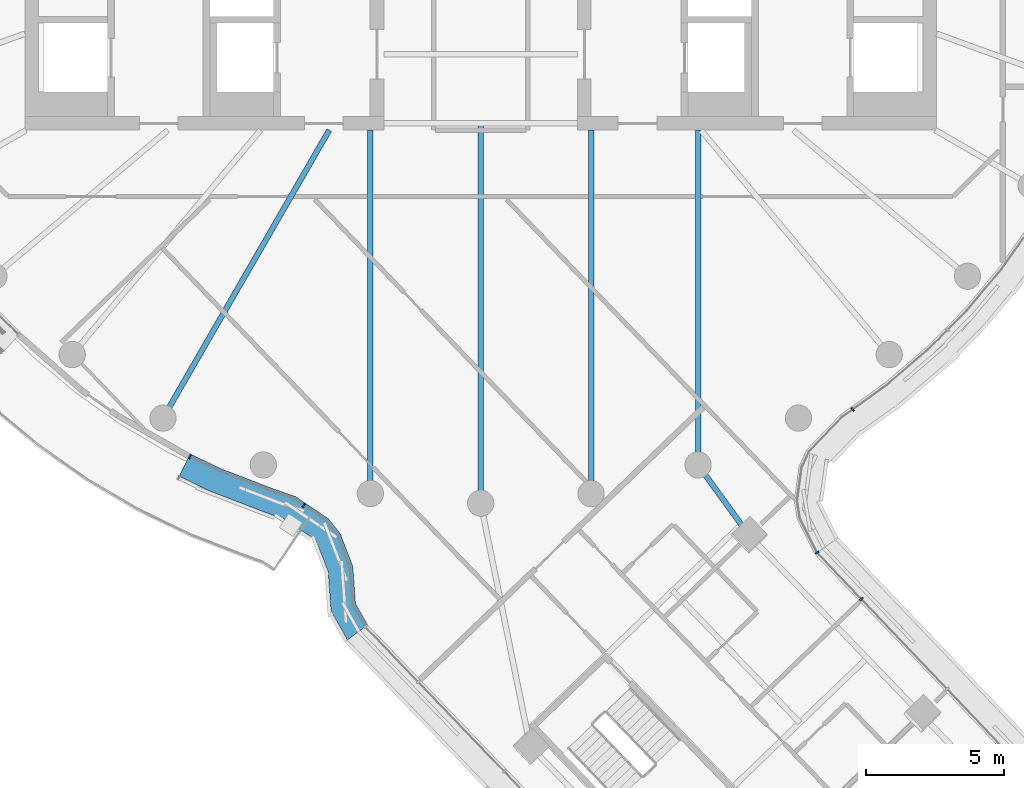
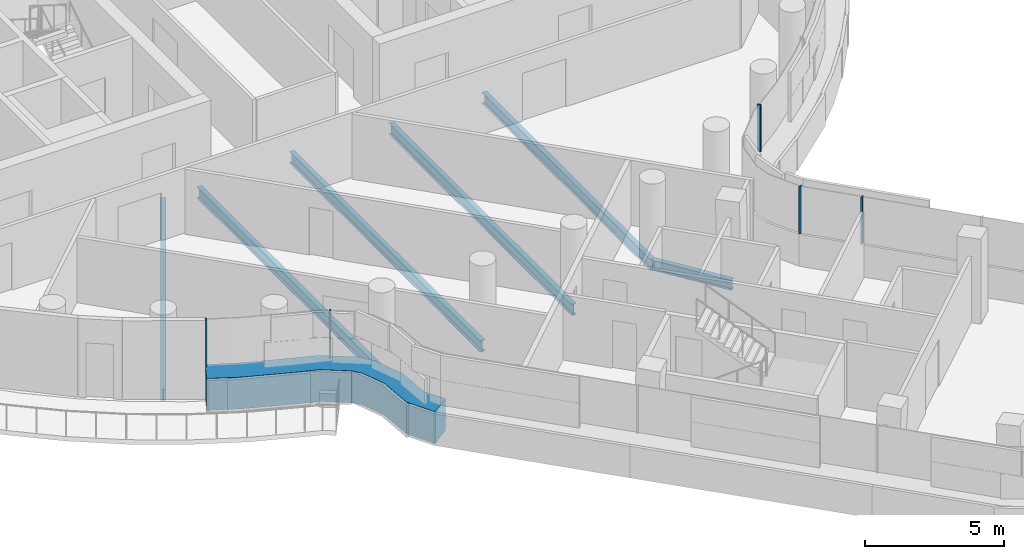
# One storey, part 7 of 34: 6 beams, 6 members, 3 elements without a shape of their own.
"""IFC4 building model written with IfcOpenShell, lengths in metres."""

from ifc_helpers import new_model, si_unit, direction, frame, origin, origin_2d, place, context, subcontext, project, spatial, polyline, rectangle, i_section, outline, extrude, material, layer, layer_set, material_profile, profile_set, type_object, element, aggregate, save


model = new_model("IFC4")

# Units and contexts
model_context = context("Model", 3, precision=1e-05, world=origin(), true_north=direction((0.0, 1.0)))
body_context = subcontext(model_context, "Body", "Model", "MODEL_VIEW")
ifc_project = project(units=[si_unit("LENGTHUNIT", "METRE"), si_unit("AREAUNIT", "SQUARE_METRE"), si_unit("VOLUMEUNIT", "CUBIC_METRE"), si_unit("PLANEANGLEUNIT", "RADIAN"), si_unit("MASSUNIT", "GRAM", prefix="KILO")], contexts=[model_context])

# Site, building, storey
site_placement = place(None, origin())
site = spatial("IfcSite", under=ifc_project, at=site_placement, CompositionType="ELEMENT")
building_placement = place(site_placement, origin())
building = spatial("IfcBuilding", under=site, at=building_placement, Name="Tamarind Cross Interchange Tower", CompositionType="ELEMENT")
storey_placement = place(building_placement, frame((0.0, 0.0, 193.300048828125)))
storey = spatial("IfcBuildingStorey", under=building, at=storey_placement, Name="L48", CompositionType="ELEMENT", Elevation=193.300048828125)

# Beams
ifc_material_1 = material(Name="Steel Q355B", Category="steel")
ifc_material_profile_1 = material_profile(ifc_material_1, i_section(OverallWidth=0.198974609375, OverallDepth=0.446044921875, WebThickness=0.008056640625, FlangeThickness=0.011962890625, FilletRadius=0.012939453125, at=origin_2d()), Name="HN 446x199x8x12")
ifc_profile_set_1 = profile_set([ifc_material_profile_1], Name="Steel Q355B")
beam_type_1 = type_object("IfcBeamType", Name="Composite beam HN 446x199x8x12 Q355B", PredefinedType="BEAM", material=ifc_profile_set_1)
beam_1_placement = place(storey_placement, frame((9.717529296875, -24.169921875, -0.363037109375), z_axis=(-0.586413581909, 0.810011796799, 0.0), x_axis=(-0.810011796799, -0.586413581909, 0.0)))
element("IfcBeam", 1, at=beam_1_placement, inside=storey, type_object=beam_type_1, Name="Beam S-linkep", PredefinedType="BEAM", context=body_context, shape_type="SweptSolid", body=[
    extrude(i_section(OverallWidth=0.198974609375, OverallDepth=0.446044921875, WebThickness=0.008056640625, FlangeThickness=0.011962890625, FilletRadius=0.012939453125, at=origin_2d()), origin(), (0.0, 0.0, 1.0), 3.156494140625),
])
ifc_material_profile_2 = material_profile(ifc_material_1, i_section(OverallWidth=0.198974609375, OverallDepth=0.49609375, WebThickness=0.009033203125, FlangeThickness=0.013916015625, FilletRadius=0.012939453125, at=origin_2d()), Name="HN 496x199x9x14")
ifc_profile_set_2 = profile_set([ifc_material_profile_2], Name="Steel Q355B")
beam_type_2 = type_object("IfcBeamType", Name="Composite beam HN 496x199x9x14 Q355B", PredefinedType="BEAM", material=ifc_profile_set_2)
beam_2_placement = place(storey_placement, frame((-11.5, -19.918701171875, -0.387939453125), z_axis=(0.499993565836, 0.866029118519, 0.0), x_axis=(-0.866029118519, 0.499993565836, 0.0)))
element("IfcBeam", 2, at=beam_2_placement, inside=storey, type_object=beam_type_2, Name="Beam HH24", PredefinedType="BEAM", context=body_context, shape_type="SweptSolid", body=[
    extrude(i_section(OverallWidth=0.198974609375, OverallDepth=0.49609375, WebThickness=0.009033203125, FlangeThickness=0.013916015625, FilletRadius=0.012939453125, at=origin_2d()), origin(), (0.0, 0.0, 1.0), 12.030517578125),
])
beam_3_placement = place(storey_placement, frame((-3.993896484375, -22.650634765625, -0.387939453125), z_axis=(0.0, 1.0, 0.0), x_axis=(-1.0, 0.0, 0.0)))
element("IfcBeam", 3, at=beam_3_placement, inside=storey, type_object=beam_type_2, Name="Beam HH26", PredefinedType="BEAM", context=body_context, shape_type="SweptSolid", body=[
    extrude(i_section(OverallWidth=0.198974609375, OverallDepth=0.49609375, WebThickness=0.009033203125, FlangeThickness=0.013916015625, FilletRadius=0.012939453125, at=origin_2d()), origin(), (0.0, 0.0, 1.0), 13.150634765625),
])
beam_4_placement = place(storey_placement, frame((0.0, -23.0, -0.387939453125), z_axis=(0.0, 1.0, 0.0), x_axis=(-1.0, 0.0, 0.0)))
element("IfcBeam", 4, at=beam_4_placement, inside=storey, type_object=beam_type_2, Name="Beam HH27", PredefinedType="BEAM", context=body_context, shape_type="SweptSolid", body=[
    extrude(i_section(OverallWidth=0.198974609375, OverallDepth=0.49609375, WebThickness=0.009033203125, FlangeThickness=0.013916015625, FilletRadius=0.012939453125, at=origin_2d()), origin(), (0.0, 0.0, 1.0), 13.75),
])
beam_5_placement = place(storey_placement, frame((3.993896484375, -22.650634765625, -0.387939453125), z_axis=(0.0, 1.0, 0.0), x_axis=(-1.0, 0.0, 0.0)))
element("IfcBeam", 5, at=beam_5_placement, inside=storey, type_object=beam_type_2, Name="Beam HH28", PredefinedType="BEAM", context=body_context, shape_type="SweptSolid", body=[
    extrude(i_section(OverallWidth=0.198974609375, OverallDepth=0.49609375, WebThickness=0.009033203125, FlangeThickness=0.013916015625, FilletRadius=0.012939453125, at=origin_2d()), origin(), (0.0, 0.0, 1.0), 13.150634765625),
])
beam_6_placement = place(storey_placement, frame((7.866455078125, -21.613037109375, -0.387939453125), z_axis=(0.0, 1.0, 0.0), x_axis=(-1.0, 0.0, 0.0)))
element("IfcBeam", 6, at=beam_6_placement, inside=storey, type_object=beam_type_2, Name="Beam HH29", PredefinedType="BEAM", context=body_context, shape_type="SweptSolid", body=[
    extrude(i_section(OverallWidth=0.198974609375, OverallDepth=0.49609375, WebThickness=0.009033203125, FlangeThickness=0.013916015625, FilletRadius=0.012939453125, at=origin_2d()), origin(), (0.0, 0.0, 1.0), 12.113037109375),
])

# Curtain wall, members
ifc_material_2 = material(Name="Aluminium 6063-T6", Category="aluminium")
ifc_layer = layer(ifc_material_2, 0.139892578125)
ifc_layer_set = layer_set([ifc_layer], Name="Aluminium 6063-T6")
curtain_wall_type = type_object("IfcCurtainWallType", Name="Hotel curtain wall, 4.5 m bays", PredefinedType="NOTDEFINED", material=ifc_layer_set)
curtain_wall_1_placement = place(storey_placement, origin())
curtain_wall_1 = element("IfcCurtainWall", 7, at=curtain_wall_1_placement, inside=storey, type_object=curtain_wall_type, Name="CWS-L48-02", PredefinedType="NOTDEFINED")
ifc_material_3 = material(Name="Aluminium and insulated spandrel panel", Category="aluminium")
member_type_1 = type_object("IfcMemberType", Name="Floor-edge blade transom", PredefinedType="USERDEFINED", material=ifc_material_3)
member_1_placement = place(storey_placement, origin())
member_1 = element("IfcMember", 8, at=member_1_placement, type_object=member_type_1, Name="CWT-L48-02-1", ObjectType="TRANSOM", PredefinedType="USERDEFINED", context=body_context, shape_type="SweptSolid", body=[
    extrude(outline(polyline([(-10.510498046875, -21.2158203125), (-9.425048828125, -21.74072265625), (-7.58984375, -22.447509765625), (-6.691650390625, -22.764404296875), (-5.5126953125, -23.5595703125), (-5.0908203125, -24.088623046875), (-4.630859375, -25.27734375), (-4.53369140625, -26.6328125), (-4.095947265625, -27.406494140625), (-4.823486328125, -27.948486328125), (-5.416748046875, -26.8994140625), (-5.518798828125, -25.476318359375), (-5.88037109375, -24.5419921875), (-6.13037109375, -24.228759765625), (-7.099609375, -23.574951171875), (-7.9013671875, -23.2919921875), (-9.783203125, -22.567138671875), (-10.909912109375, -22.022216796875), (-10.510498046875, -21.2158203125)])), origin(), (0.0, 0.0, 1.0), 1.39990234375),
])
ifc_material_profile_3 = material_profile(ifc_material_2, rectangle(XDim=0.06005859375, YDim=0.139892578125, at=origin_2d()), Name="Mullion CW2")
ifc_profile_set_3 = profile_set([ifc_material_profile_3], Name="Aluminium 6063-T6")
member_type_2 = type_object("IfcMemberType", Name="Mullion CW2", PredefinedType="MULLION", material=ifc_profile_set_3)
member_2_placement = place(storey_placement, frame((-10.528076171875, -21.318359375, 1.39990234375), z_axis=(0.0, 0.0, 1.0), x_axis=(0.900272776334, -0.435326231914, 0.0)))
member_2 = element("IfcMember", 9, at=member_2_placement, type_object=member_type_2, Name="CWM-L48-02-03", PredefinedType="MULLION", context=body_context, shape_type="SweptSolid", body=[
    extrude(rectangle(XDim=0.06005859375, YDim=0.139892578125, at=origin_2d()), origin(), (0.0, 0.0, 1.0), 2.06005859375),
])
member_3_placement = place(storey_placement, frame((-6.40380859375, -23.0791015625, 1.39990234375), z_axis=(0.0, 0.0, 1.0), x_axis=(0.829016203215, -0.559224583515, 0.0)))
member_3 = element("IfcMember", 10, at=member_3_placement, type_object=member_type_2, Name="CWM-L48-02-04", PredefinedType="MULLION", context=body_context, shape_type="SweptSolid", body=[
    extrude(rectangle(XDim=0.06005859375, YDim=0.139892578125, at=origin_2d()), origin(), (0.0, 0.0, 1.0), 2.06005859375),
])
aggregate(curtain_wall_1, [member_2, member_3, member_1])

# Curtain wall, member
curtain_wall_2_placement = place(storey_placement, origin())
curtain_wall_2 = element("IfcCurtainWall", 11, at=curtain_wall_2_placement, inside=storey, type_object=curtain_wall_type, Name="CWS-L48-05", PredefinedType="NOTDEFINED")
member_4_placement = place(storey_placement, frame((13.779052734375, -26.46630859375, 1.39990234375), z_axis=(0.0, 0.0, 1.0), x_axis=(-0.690434308615, 0.723395096395, 0.0)))
member_4 = element("IfcMember", 12, at=member_4_placement, type_object=member_type_2, Name="CWM-L48-05-02", PredefinedType="MULLION", context=body_context, shape_type="SweptSolid", body=[
    extrude(rectangle(XDim=0.06005859375, YDim=0.139892578125, at=origin_2d()), origin(), (0.0, 0.0, 1.0), 2.06005859375),
])
aggregate(curtain_wall_2, [member_4])

# Curtain wall, members
curtain_wall_3_placement = place(storey_placement, origin())
curtain_wall_3 = element("IfcCurtainWall", 13, at=curtain_wall_3_placement, inside=storey, type_object=curtain_wall_type, Name="CWS-L48-06", PredefinedType="NOTDEFINED")
member_5_placement = place(storey_placement, frame((12.17529296875, -24.785888671875, 1.39990234375), z_axis=(0.0, 0.0, 1.0), x_axis=(-0.576176122891, 0.81732556268, 0.0)))
member_5 = element("IfcMember", 14, at=member_5_placement, type_object=member_type_2, Name="CWM-L48-06-00", PredefinedType="MULLION", context=body_context, shape_type="SweptSolid", body=[
    extrude(rectangle(XDim=0.06005859375, YDim=0.139892578125, at=origin_2d()), origin(), (0.0, 0.0, 1.0), 2.06005859375),
])
member_6_placement = place(storey_placement, frame((13.46533203125, -19.60205078125, 1.39990234375), z_axis=(0.0, 0.0, 1.0), x_axis=(0.811340475102, 0.584573890505, 0.0)))
member_6 = element("IfcMember", 15, at=member_6_placement, type_object=member_type_2, Name="CWM-L48-06-01", PredefinedType="MULLION", context=body_context, shape_type="SweptSolid", body=[
    extrude(rectangle(XDim=0.06005859375, YDim=0.139892578125, at=origin_2d()), origin(), (0.0, 0.0, 1.0), 2.06005859375),
])
aggregate(curtain_wall_3, [member_5, member_6])

save(model, "model.ifc")
